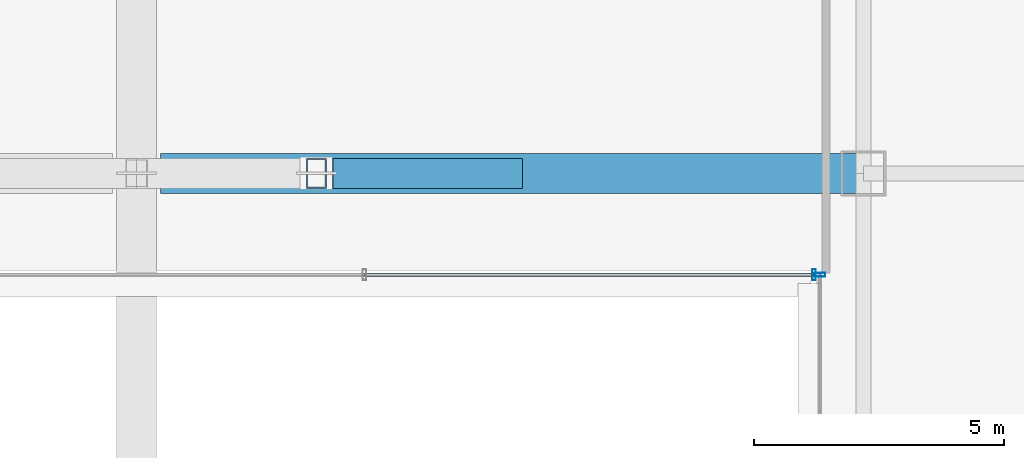
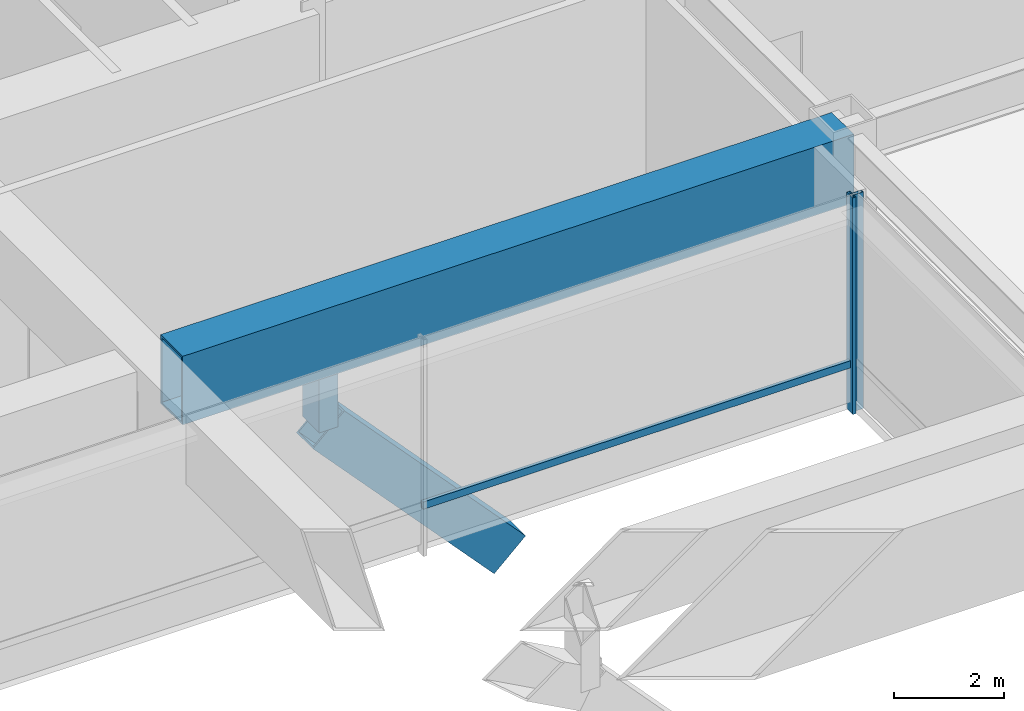
# One storey, part 9 of 37: 5 members, 1 beam, 2 elements without a shape of their own.
"""IFC4 building model written with IfcOpenShell, lengths in metres."""

from ifc_helpers import new_model, si_unit, direction, frame, origin, origin_2d, place, context, subcontext, project, spatial, hollow_rectangle, extrude, material, layer, layer_set, material_profile, profile_set, type_object, element, aggregate, save


model = new_model("IFC4")

# Units and contexts
model_context = context("Model", 3, precision=1e-05, world=origin(), true_north=direction((0.0, 1.0)))
body_context = subcontext(model_context, "Body", "Model", "MODEL_VIEW")
ifc_project = project(units=[si_unit("LENGTHUNIT", "METRE"), si_unit("AREAUNIT", "SQUARE_METRE"), si_unit("VOLUMEUNIT", "CUBIC_METRE"), si_unit("PLANEANGLEUNIT", "RADIAN"), si_unit("MASSUNIT", "GRAM", prefix="KILO")], contexts=[model_context])

# Site, building, storey
site_placement = place(None, origin())
site = spatial("IfcSite", under=ifc_project, at=site_placement, CompositionType="ELEMENT")
building_placement = place(site_placement, origin())
building = spatial("IfcBuilding", under=site, at=building_placement, Name="Brelmoor Portico Tower", CompositionType="ELEMENT")
storey_placement = place(building_placement, frame((0.0, 0.0, 14.39990234375)))
storey = spatial("IfcBuildingStorey", under=building, at=storey_placement, Name="L03", CompositionType="ELEMENT", Elevation=14.39990234375)

# Beam
ifc_material_1 = material(Name="Steel Q420B", Category="steel")
ifc_material_profile_1 = material_profile(ifc_material_1, hollow_rectangle(XDim=0.800048828125, YDim=1.52001953125, WallThickness=0.044921875, at=origin_2d()), Name="BOX 800x1520x45")
ifc_profile_set_1 = profile_set([ifc_material_profile_1], Name="Steel Q420B")
beam_type = type_object("IfcBeamType", Name="BM-TG-TIE", PredefinedType="BEAM", material=ifc_profile_set_1)
beam_placement = place(storey_placement, frame((0.47998046875, -18.050048828125, 3.820068359375), z_axis=(1.0, 0.0, 0.0), x_axis=(0.0, 1.0, 0.0)))
element("IfcBeam", 1, at=beam_placement, inside=storey, type_object=beam_type, Name="L03 Giant Arch Bridge Transfer Box Girder S2E", PredefinedType="BEAM", context=body_context, shape_type="SweptSolid", body=[
    extrude(hollow_rectangle(XDim=0.800048828125, YDim=1.52001953125, WallThickness=0.044921875, at=origin_2d()), origin(), (0.0, 0.0, 1.0), 14.070068359375),
])

# Members
ifc_material_profile_2 = material_profile(ifc_material_1, hollow_rectangle(XDim=0.60009765625, YDim=0.89990234375, WallThickness=0.035888671875, at=origin_2d()), Name="RHS 600x900x36")
ifc_profile_set_2 = profile_set([ifc_material_profile_2], Name="Steel Q420B")
member_type_1 = type_object("IfcMemberType", Name="MB-ARCH-RIB", PredefinedType="CHORD", material=ifc_profile_set_2)
member_1_placement = place(storey_placement, frame((3.60009765625, -18.050048828125, 1.800048828125), z_axis=(0.679758934969, 0.0, -0.733435607487), x_axis=(0.0, 1.0, 0.0)))
element("IfcMember", 2, at=member_1_placement, inside=storey, type_object=member_type_1, Name="Giant Portico Arch Rib S2-6", PredefinedType="CHORD", context=body_context, shape_type="SweptSolid", body=[
    extrude(hollow_rectangle(XDim=0.60009765625, YDim=0.89990234375, WallThickness=0.035888671875, at=origin_2d()), origin(), (0.0, 0.0, 1.0), 5.58984375),
])
ifc_material_2 = material(Name="Steel Q355B", Category="steel")
ifc_material_profile_3 = material_profile(ifc_material_2, hollow_rectangle(XDim=0.39990234375, YDim=0.60009765625, WallThickness=0.02392578125, at=origin_2d()), Name="RHS 400x600x24")
ifc_profile_set_3 = profile_set([ifc_material_profile_3], Name="Steel Q355B")
member_type_2 = type_object("IfcMemberType", Name="MB-ARCH-STRUT", PredefinedType="BRACE", material=ifc_profile_set_3)
member_2_placement = place(storey_placement, frame((3.60009765625, -18.050048828125, 1.800048828125), z_axis=(0.0, 0.0, 1.0), x_axis=(1.0, 0.0, 0.0)))
element("IfcMember", 3, at=member_2_placement, inside=storey, type_object=member_type_2, Name="Portico Arch Spandrel Strut S2-4", PredefinedType="BRACE", context=body_context, shape_type="SweptSolid", body=[
    extrude(hollow_rectangle(XDim=0.39990234375, YDim=0.60009765625, WallThickness=0.02392578125, at=origin_2d()), origin(), (0.0, 0.0, 1.0), 1.955078125),
])

# Curtain wall, member
ifc_material_3 = material(Name="Anodised Aluminium Alloy 6063-T6", Category="aluminium")
ifc_layer = layer(ifc_material_3, 0.179931640625)
ifc_layer_set = layer_set([ifc_layer], Name="Anodised Aluminium Alloy 6063-T6")
curtain_wall_type = type_object("IfcCurtainWallType", Name="CW-PODIUM-ARCH", PredefinedType="NOTDEFINED", material=ifc_layer_set)
curtain_wall_1_placement = place(storey_placement, origin())
curtain_wall_1 = element("IfcCurtainWall", 4, at=curtain_wall_1_placement, inside=storey, type_object=curtain_wall_type, Name="L03 Curtain Wall CW-L03-04", PredefinedType="NOTDEFINED")
ifc_material_profile_4 = material_profile(ifc_material_3, hollow_rectangle(XDim=0.074951171875, YDim=0.219970703125, WallThickness=0.0048828125, at=origin_2d()), Name="ALU MULLION 75x220")
ifc_profile_set_4 = profile_set([ifc_material_profile_4], Name="Anodised Aluminium Alloy 6063-T6")
member_type_3 = type_object("IfcMemberType", Name="MB-CW-MULL-220", PredefinedType="MULLION", material=ifc_profile_set_4)
member_3_placement = place(storey_placement, frame((13.679931640625, -20.080078125, -0.219970703125), z_axis=(0.0, 0.0, 1.0), x_axis=(0.0, 1.0, 0.0)))
member_3 = element("IfcMember", 5, at=member_3_placement, type_object=member_type_3, Name="CW-L03-04 Mullion 01", PredefinedType="MULLION", context=body_context, shape_type="SweptSolid", body=[
    extrude(hollow_rectangle(XDim=0.074951171875, YDim=0.219970703125, WallThickness=0.0048828125, at=origin_2d()), origin(), (0.0, 0.0, 1.0), 4.800048828125),
])
aggregate(curtain_wall_1, [member_3])

# Curtain wall, members
curtain_wall_2_placement = place(storey_placement, origin())
curtain_wall_2 = element("IfcCurtainWall", 6, at=curtain_wall_2_placement, inside=storey, type_object=curtain_wall_type, Name="L03 Curtain Wall CW-L03-05", PredefinedType="NOTDEFINED")
member_4_placement = place(storey_placement, frame((13.56005859375, -20.080078125, -0.219970703125), z_axis=(0.0, 0.0, 1.0), x_axis=(1.0, 0.0, 0.0)))
member_4 = element("IfcMember", 7, at=member_4_placement, type_object=member_type_3, Name="CW-L03-05 Mullion 03", PredefinedType="MULLION", context=body_context, shape_type="SweptSolid", body=[
    extrude(hollow_rectangle(XDim=0.074951171875, YDim=0.219970703125, WallThickness=0.0048828125, at=origin_2d()), origin(), (0.0, 0.0, 1.0), 4.800048828125),
])
ifc_material_profile_5 = material_profile(ifc_material_3, hollow_rectangle(XDim=0.070068359375, YDim=0.159912109375, WallThickness=0.00390625, at=origin_2d()), Name="ALU TRANSOM 70x160")
ifc_profile_set_5 = profile_set([ifc_material_profile_5], Name="Anodised Aluminium Alloy 6063-T6")
member_type_4 = type_object("IfcMemberType", Name="MB-CW-TRAN-160", PredefinedType="USERDEFINED", material=ifc_profile_set_5)
member_5_placement = place(storey_placement, frame((4.56005859375, -20.080078125, 0.85009765625), z_axis=(1.0, 0.0, 0.0), x_axis=(0.0, 1.0, 0.0)))
member_5 = element("IfcMember", 8, at=member_5_placement, type_object=member_type_4, Name="CW-L03-05 Transom 1-02", ObjectType="TRANSOM", PredefinedType="USERDEFINED", context=body_context, shape_type="SweptSolid", body=[
    extrude(hollow_rectangle(XDim=0.070068359375, YDim=0.159912109375, WallThickness=0.00390625, at=origin_2d()), origin(), (0.0, 0.0, 1.0), 9.119873046875),
])
aggregate(curtain_wall_2, [member_4, member_5])

save(model, "model.ifc")
